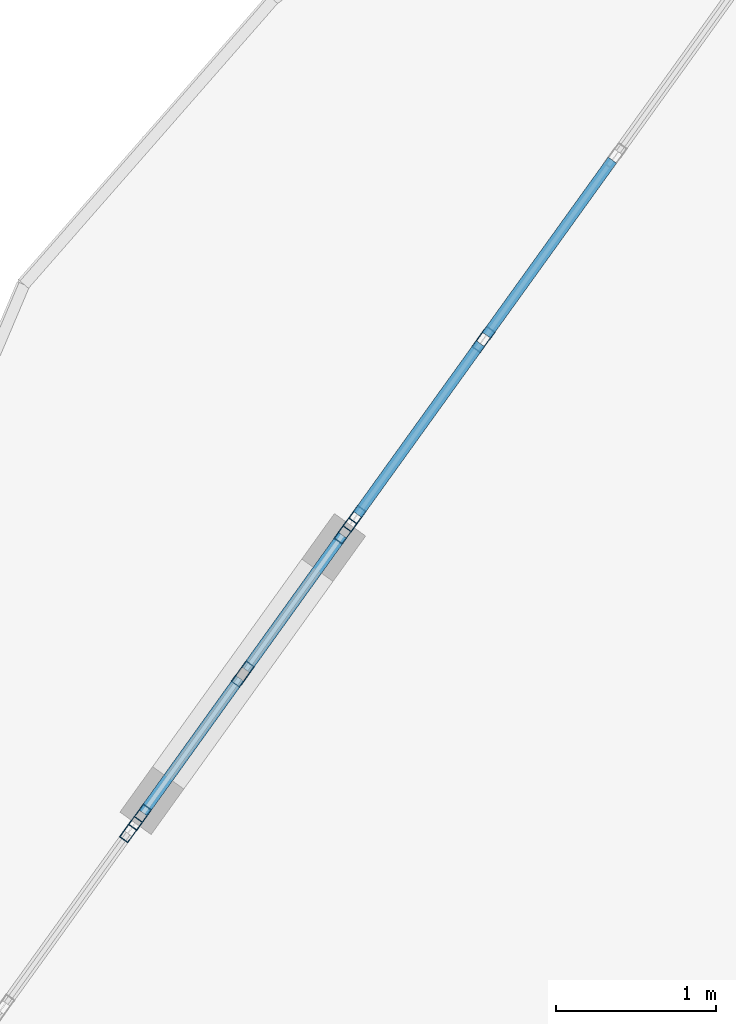
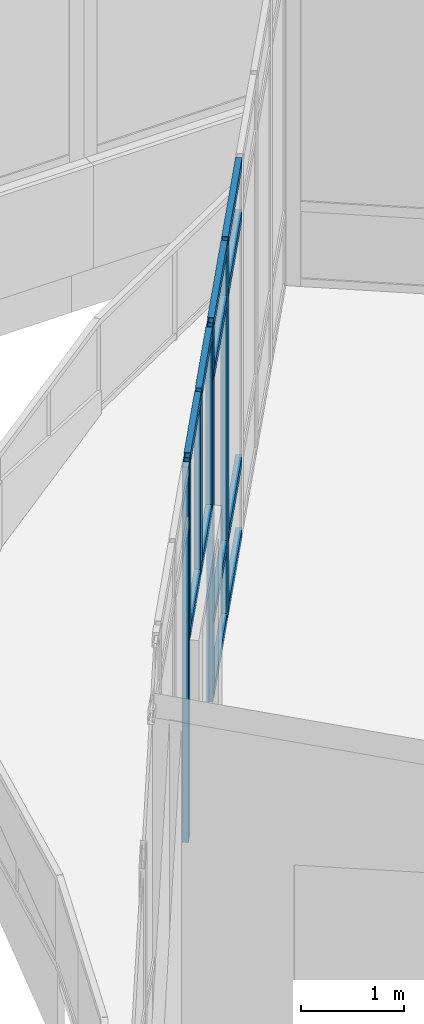
# One storey, part 24 of 155: 18 members, 3 elements without a shape of their own.
"""IFC4 building model written with IfcOpenShell, lengths in metres."""

from ifc_helpers import new_model, si_unit, direction, frame, origin, origin_2d, place, context, subcontext, project, spatial, hollow_rectangle, extrude, material, material_profile, profile_set, type_object, element, aggregate, save


model = new_model("IFC4")

# Units and contexts
model_context = context("Model", 3, precision=1e-05, world=origin(), true_north=direction((0.0, 1.0)))
body_context = subcontext(model_context, "Body", "Model", "MODEL_VIEW")
ifc_project = project(units=[si_unit("LENGTHUNIT", "METRE"), si_unit("AREAUNIT", "SQUARE_METRE"), si_unit("VOLUMEUNIT", "CUBIC_METRE"), si_unit("PLANEANGLEUNIT", "RADIAN"), si_unit("MASSUNIT", "GRAM", prefix="KILO")], contexts=[model_context])

# Site, building, storey
site_placement = place(None, origin())
site = spatial("IfcSite", under=ifc_project, at=site_placement, CompositionType="ELEMENT")
building_placement = place(site_placement, origin())
building = spatial("IfcBuilding", under=site, at=building_placement, Name="Selatvlak General Hospital", CompositionType="ELEMENT")
storey_placement = place(building_placement, frame((0.0, 0.0, 10.199951171875)))
storey = spatial("IfcBuildingStorey", under=building, at=storey_placement, Name="L02", CompositionType="ELEMENT", Elevation=10.199951171875)

# Curtain wall, members
ifc_material_1 = material(Name="Solar-control Low-E double glazing", Category="glass")
curtain_wall_type_1 = type_object("IfcCurtainWallType", Name="CW-CW-02", PredefinedType="USERDEFINED", material=ifc_material_1)
curtain_wall_1_placement = place(storey_placement, origin())
curtain_wall_1 = element("IfcCurtainWall", 1, at=curtain_wall_1_placement, inside=storey, type_object=curtain_wall_type_1, Name="Glazed facade curtain wall CW-L02-0318", ObjectType="UNITISED CURTAIN WALL", PredefinedType="USERDEFINED")
ifc_material_2 = material(Name="Dark anodised aluminium mullion", Category="aluminium")
ifc_material_profile_1 = material_profile(ifc_material_2, hollow_rectangle(XDim=0.06494140625, YDim=0.159912109375, WallThickness=0.00390625, at=origin_2d()), Name="AL-MUL 65x160x4")
ifc_profile_set_1 = profile_set([ifc_material_profile_1], Name="Dark anodised aluminium mullion")
member_type_1 = type_object("IfcMemberType", Name="CWM-01", PredefinedType="MULLION", material=ifc_profile_set_1)
member_1_placement = place(storey_placement, frame((26.974853515625, 42.71044921875, 2.320068359375), z_axis=(0.0, 0.0, 1.0), x_axis=(-0.812302328602, 0.583236596029, 0.0)))
member_1 = element("IfcMember", 2, at=member_1_placement, type_object=member_type_1, Name="CW-02 mullion 1", PredefinedType="MULLION", context=body_context, shape_type="SweptSolid", body=[
    extrude(hollow_rectangle(XDim=0.06494140625, YDim=0.159912109375, WallThickness=0.00390625, at=origin_2d()), origin(), (0.0, 0.0, 1.0), 2.139892578125),
])
member_2_placement = place(storey_placement, frame((27.617919921875, 43.60595703125, 2.320068359375), z_axis=(0.0, 0.0, 1.0), x_axis=(-0.812302328602, 0.583236596029, 0.0)))
member_2 = element("IfcMember", 3, at=member_2_placement, type_object=member_type_1, Name="CW-02 mullion 2", PredefinedType="MULLION", context=body_context, shape_type="SweptSolid", body=[
    extrude(hollow_rectangle(XDim=0.06494140625, YDim=0.159912109375, WallThickness=0.00390625, at=origin_2d()), origin(), (0.0, 0.0, 1.0), 2.139892578125),
])
member_3_placement = place(storey_placement, frame((28.260986328125, 44.501708984375, 2.320068359375), z_axis=(0.0, 0.0, 1.0), x_axis=(-0.812302328602, 0.583236596029, 0.0)))
member_3 = element("IfcMember", 4, at=member_3_placement, type_object=member_type_1, Name="CW-02 mullion 3", PredefinedType="MULLION", context=body_context, shape_type="SweptSolid", body=[
    extrude(hollow_rectangle(XDim=0.06494140625, YDim=0.159912109375, WallThickness=0.00390625, at=origin_2d()), origin(), (0.0, 0.0, 1.0), 2.139892578125),
])

# Curtain wall, member
curtain_wall_type_2 = type_object("IfcCurtainWallType", Name="CW-CW-01", PredefinedType="USERDEFINED", material=ifc_material_1)
curtain_wall_2_placement = place(storey_placement, origin())
curtain_wall_2 = element("IfcCurtainWall", 5, at=curtain_wall_2_placement, inside=storey, type_object=curtain_wall_type_2, Name="Glazed facade curtain wall CW-L02-0319", ObjectType="UNITISED CURTAIN WALL", PredefinedType="USERDEFINED")
member_4_placement = place(storey_placement, frame((26.9189453125, 42.633544921875, 0.0), z_axis=(0.0, 0.0, 1.0), x_axis=(-0.81180439095, 0.583929474196, 0.0)))
member_4 = element("IfcMember", 6, at=member_4_placement, type_object=member_type_1, Name="CW-01 mullion 6", PredefinedType="MULLION", context=body_context, shape_type="SweptSolid", body=[
    extrude(hollow_rectangle(XDim=0.06494140625, YDim=0.159912109375, WallThickness=0.00390625, at=origin_2d()), origin(), (0.0, 0.0, 1.0), 4.4599609375),
])
aggregate(curtain_wall_2, [member_4])

# Curtain wall, members
curtain_wall_3_placement = place(storey_placement, origin())
curtain_wall_3 = element("IfcCurtainWall", 7, at=curtain_wall_3_placement, inside=storey, type_object=curtain_wall_type_2, Name="Glazed facade curtain wall CW-L02-0320", ObjectType="UNITISED CURTAIN WALL", PredefinedType="USERDEFINED")
member_5_placement = place(storey_placement, frame((28.31689453125, 44.578369140625, 0.0), z_axis=(0.0, 0.0, 1.0), x_axis=(-0.811837318502, 0.583883694145, 0.0)))
member_5 = element("IfcMember", 8, at=member_5_placement, type_object=member_type_1, Name="CW-01 mullion 1", PredefinedType="MULLION", context=body_context, shape_type="SweptSolid", body=[
    extrude(hollow_rectangle(XDim=0.06494140625, YDim=0.159912109375, WallThickness=0.00390625, at=origin_2d()), origin(), (0.0, 0.0, 1.0), 4.4599609375),
])
member_6_placement = place(storey_placement, frame((29.123779296875, 45.7001953125, 0.0), z_axis=(0.0, 0.0, 1.0), x_axis=(-0.811837318502, 0.583883694145, 0.0)))
member_6 = element("IfcMember", 9, at=member_6_placement, type_object=member_type_1, Name="CW-01 mullion 2", PredefinedType="MULLION", context=body_context, shape_type="SweptSolid", body=[
    extrude(hollow_rectangle(XDim=0.06494140625, YDim=0.159912109375, WallThickness=0.00390625, at=origin_2d()), origin(), (0.0, 0.0, 1.0), 4.4599609375),
])

# Member
ifc_material_profile_2 = material_profile(ifc_material_2, hollow_rectangle(XDim=0.06494140625, YDim=0.1201171875, WallThickness=0.00390625, at=origin_2d()), Name="AL-TRN 65x120x4")
ifc_profile_set_2 = profile_set([ifc_material_profile_2], Name="Dark anodised aluminium mullion")
member_type_2 = type_object("IfcMemberType", Name="CWT-01", PredefinedType="USERDEFINED", material=ifc_profile_set_2)
member_7_placement = place(storey_placement, frame((26.993896484375, 42.73681640625, 2.3525390625), z_axis=(0.583306308674, 0.812252270086, 0.0), x_axis=(-0.812252270086, 0.583306308674, 0.0)))
member_7 = element("IfcMember", 10, at=member_7_placement, type_object=member_type_2, Name="CW-02 transom 1.1", ObjectType="TRANSOM", PredefinedType="USERDEFINED", context=body_context, shape_type="SweptSolid", body=[
    extrude(hollow_rectangle(XDim=0.06494140625, YDim=0.1201171875, WallThickness=0.00390625, at=origin_2d()), origin(), (0.0, 0.0, 1.0), 1.03759765625),
])

member_8_placement = place(storey_placement, frame((26.993896484375, 42.73681640625, 4.427490234375), z_axis=(0.583306308674, 0.812252270086, 0.0), x_axis=(-0.812252270086, 0.583306308674, 0.0)))
member_8 = element("IfcMember", 11, at=member_8_placement, type_object=member_type_2, Name="CW-02 transom 1.2", ObjectType="TRANSOM", PredefinedType="USERDEFINED", context=body_context, shape_type="SweptSolid", body=[
    extrude(hollow_rectangle(XDim=0.06494140625, YDim=0.1201171875, WallThickness=0.00390625, at=origin_2d()), origin(), (0.0, 0.0, 1.0), 1.03759765625),
])

member_9_placement = place(storey_placement, frame((27.636962890625, 43.63232421875, 2.3525390625), z_axis=(0.583306308674, 0.812252270086, 0.0), x_axis=(-0.812252270086, 0.583306308674, 0.0)))
member_9 = element("IfcMember", 12, at=member_9_placement, type_object=member_type_2, Name="CW-02 transom 2.1", ObjectType="TRANSOM", PredefinedType="USERDEFINED", context=body_context, shape_type="SweptSolid", body=[
    extrude(hollow_rectangle(XDim=0.06494140625, YDim=0.1201171875, WallThickness=0.00390625, at=origin_2d()), origin(), (0.0, 0.0, 1.0), 1.03759765625),
])

member_10_placement = place(storey_placement, frame((27.636962890625, 43.63232421875, 4.427490234375), z_axis=(0.583306308674, 0.812252270086, 0.0), x_axis=(-0.812252270086, 0.583306308674, 0.0)))
member_10 = element("IfcMember", 13, at=member_10_placement, type_object=member_type_2, Name="CW-02 transom 2.2", ObjectType="TRANSOM", PredefinedType="USERDEFINED", context=body_context, shape_type="SweptSolid", body=[
    extrude(hollow_rectangle(XDim=0.06494140625, YDim=0.1201171875, WallThickness=0.00390625, at=origin_2d()), origin(), (0.0, 0.0, 1.0), 1.03759765625),
])

aggregate(curtain_wall_1, [member_1, member_2, member_3, member_7, member_8, member_9, member_10])

member_11_placement = place(storey_placement, frame((28.3359375, 44.604736328125, 0.032470703125), z_axis=(0.583830864609, 0.811875311566, 0.0), x_axis=(-0.811875311566, 0.583830864609, 0.0)))
member_11 = element("IfcMember", 14, at=member_11_placement, type_object=member_type_2, Name="CW-01 transom 1.1", ObjectType="TRANSOM", PredefinedType="USERDEFINED", context=body_context, shape_type="SweptSolid", body=[
    extrude(hollow_rectangle(XDim=0.06494140625, YDim=0.1201171875, WallThickness=0.00390625, at=origin_2d()), origin(), (0.0, 0.0, 1.0), 1.31689453125),
])

member_12_placement = place(storey_placement, frame((28.3359375, 44.604736328125, 0.900146484375), z_axis=(0.583830864609, 0.811875311566, 0.0), x_axis=(-0.811875311566, 0.583830864609, 0.0)))
member_12 = element("IfcMember", 15, at=member_12_placement, type_object=member_type_2, Name="CW-01 transom 1.2", ObjectType="TRANSOM", PredefinedType="USERDEFINED", context=body_context, shape_type="SweptSolid", body=[
    extrude(hollow_rectangle(XDim=0.06494140625, YDim=0.1201171875, WallThickness=0.00390625, at=origin_2d()), origin(), (0.0, 0.0, 1.0), 1.31689453125),
])

member_13_placement = place(storey_placement, frame((28.3359375, 44.604736328125, 3.81005859375), z_axis=(0.583830864609, 0.811875311566, 0.0), x_axis=(-0.811875311566, 0.583830864609, 0.0)))
member_13 = element("IfcMember", 16, at=member_13_placement, type_object=member_type_2, Name="CW-01 transom 1.3", ObjectType="TRANSOM", PredefinedType="USERDEFINED", context=body_context, shape_type="SweptSolid", body=[
    extrude(hollow_rectangle(XDim=0.06494140625, YDim=0.1201171875, WallThickness=0.00390625, at=origin_2d()), origin(), (0.0, 0.0, 1.0), 1.31689453125),
])

member_14_placement = place(storey_placement, frame((28.3359375, 44.604736328125, 4.427490234375), z_axis=(0.583830864609, 0.811875311566, 0.0), x_axis=(-0.811875311566, 0.583830864609, 0.0)))
member_14 = element("IfcMember", 17, at=member_14_placement, type_object=member_type_2, Name="CW-01 transom 1.4", ObjectType="TRANSOM", PredefinedType="USERDEFINED", context=body_context, shape_type="SweptSolid", body=[
    extrude(hollow_rectangle(XDim=0.06494140625, YDim=0.1201171875, WallThickness=0.00390625, at=origin_2d()), origin(), (0.0, 0.0, 1.0), 1.31689453125),
])

member_15_placement = place(storey_placement, frame((29.142822265625, 45.7265625, 0.032470703125), z_axis=(0.583870898815, 0.811846520912, 0.0), x_axis=(-0.811846520912, 0.583870898815, 0.0)))
member_15 = element("IfcMember", 18, at=member_15_placement, type_object=member_type_2, Name="CW-01 transom 2.1", ObjectType="TRANSOM", PredefinedType="USERDEFINED", context=body_context, shape_type="SweptSolid", body=[
    extrude(hollow_rectangle(XDim=0.06494140625, YDim=0.1201171875, WallThickness=0.00390625, at=origin_2d()), origin(), (0.0, 0.0, 1.0), 1.349365234375),
])

member_16_placement = place(storey_placement, frame((29.142822265625, 45.7265625, 0.900146484375), z_axis=(0.583870898815, 0.811846520912, 0.0), x_axis=(-0.811846520912, 0.583870898815, 0.0)))
member_16 = element("IfcMember", 19, at=member_16_placement, type_object=member_type_2, Name="CW-01 transom 2.2", ObjectType="TRANSOM", PredefinedType="USERDEFINED", context=body_context, shape_type="SweptSolid", body=[
    extrude(hollow_rectangle(XDim=0.06494140625, YDim=0.1201171875, WallThickness=0.00390625, at=origin_2d()), origin(), (0.0, 0.0, 1.0), 1.349365234375),
])

member_17_placement = place(storey_placement, frame((29.142822265625, 45.7265625, 3.81005859375), z_axis=(0.583870898815, 0.811846520912, 0.0), x_axis=(-0.811846520912, 0.583870898815, 0.0)))
member_17 = element("IfcMember", 20, at=member_17_placement, type_object=member_type_2, Name="CW-01 transom 2.3", ObjectType="TRANSOM", PredefinedType="USERDEFINED", context=body_context, shape_type="SweptSolid", body=[
    extrude(hollow_rectangle(XDim=0.06494140625, YDim=0.1201171875, WallThickness=0.00390625, at=origin_2d()), origin(), (0.0, 0.0, 1.0), 1.349365234375),
])

member_18_placement = place(storey_placement, frame((29.142822265625, 45.7265625, 4.427490234375), z_axis=(0.583870898815, 0.811846520912, 0.0), x_axis=(-0.811846520912, 0.583870898815, 0.0)))
member_18 = element("IfcMember", 21, at=member_18_placement, type_object=member_type_2, Name="CW-01 transom 2.4", ObjectType="TRANSOM", PredefinedType="USERDEFINED", context=body_context, shape_type="SweptSolid", body=[
    extrude(hollow_rectangle(XDim=0.06494140625, YDim=0.1201171875, WallThickness=0.00390625, at=origin_2d()), origin(), (0.0, 0.0, 1.0), 1.349365234375),
])

aggregate(curtain_wall_3, [member_5, member_6, member_11, member_12, member_13, member_14, member_15, member_16, member_17, member_18])

save(model, "model.ifc")
